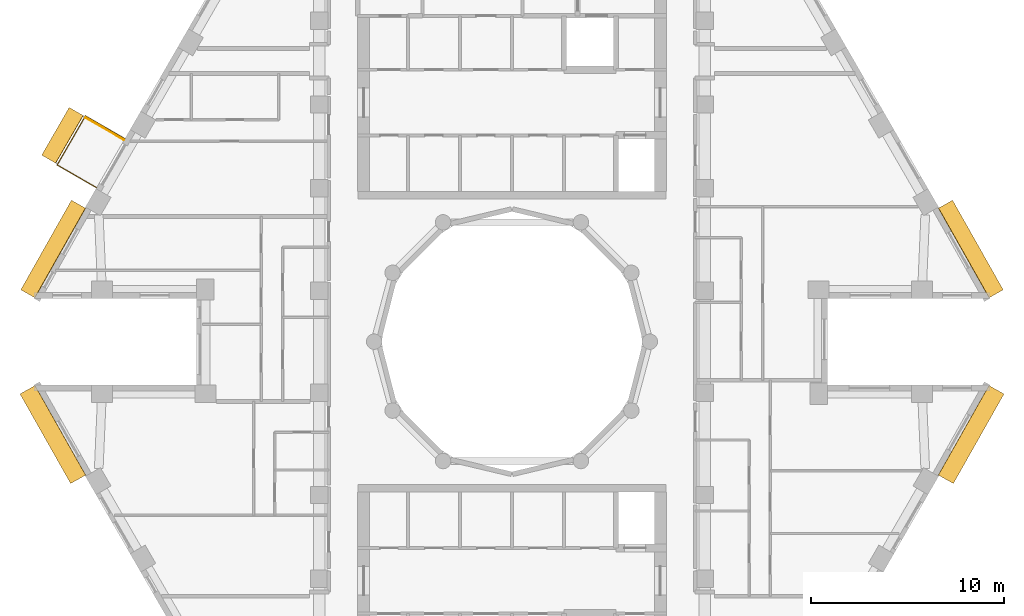
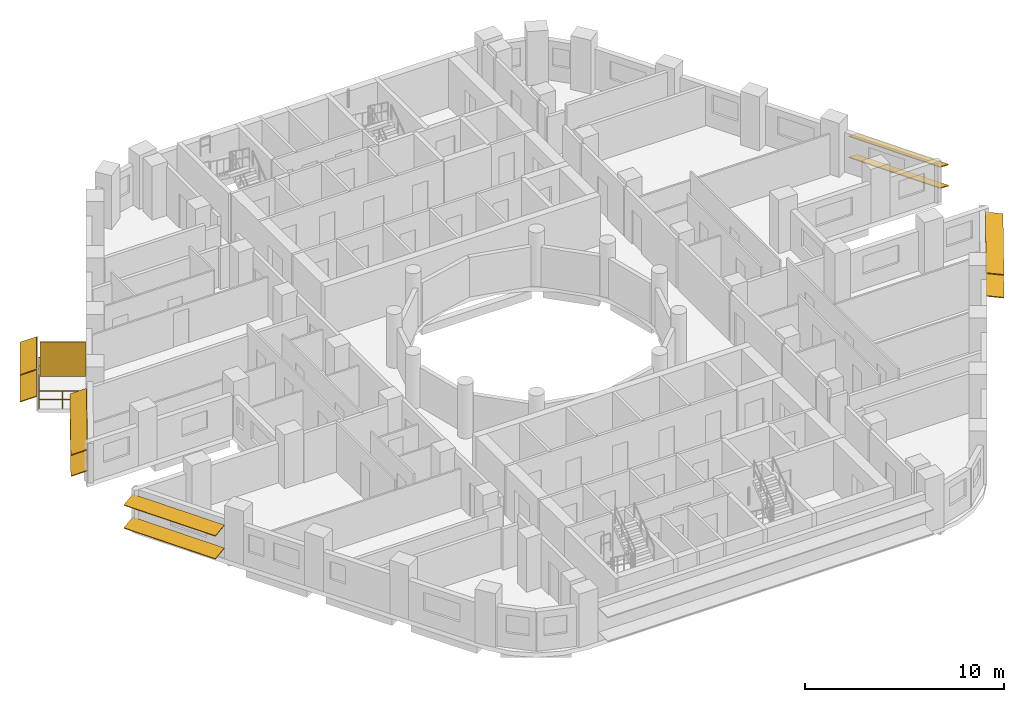
# One storey, part 12 of 13: 11 shading devices, 1 railing.
"""IFC4 building model written with IfcOpenShell, lengths in metres."""

from ifc_helpers import new_model, si_unit, direction, frame, origin, origin_2d, place, context, subcontext, project, spatial, rectangle, circle, extrude, material, layer, layer_set, material_profile, profile_set, type_object, element, save


model = new_model("IFC4")

# Units and contexts
model_context = context("Model", 3, precision=1e-05, world=origin(), true_north=direction((0.0, 1.0)))
body_context = subcontext(model_context, "Body", "Model", "MODEL_VIEW")
ifc_project = project(units=[si_unit("LENGTHUNIT", "METRE"), si_unit("AREAUNIT", "SQUARE_METRE"), si_unit("VOLUMEUNIT", "CUBIC_METRE"), si_unit("PLANEANGLEUNIT", "RADIAN"), si_unit("MASSUNIT", "GRAM", prefix="KILO")], contexts=[model_context])

# Site, building, storey
site_placement = place(None, origin())
site = spatial("IfcSite", under=ifc_project, at=site_placement, CompositionType="ELEMENT")
building_placement = place(site_placement, origin())
building = spatial("IfcBuilding", under=site, at=building_placement, Name="Nakaniwa Court", CompositionType="ELEMENT")
storey_placement = place(building_placement, frame((0.0, 0.0, 242.699951171875)))
storey = spatial("IfcBuildingStorey", under=building, at=storey_placement, Name="L63", CompositionType="ELEMENT", Elevation=242.699951171875)

# Railing
ifc_material_1 = material(Name="Black powder-coated steel flat bar balustrade S275", Category="steel")
railing_type = type_object("IfcRailingType", Name="Black metal balcony guard 1100", PredefinedType="GUARDRAIL", material=ifc_material_1)
railing_placement = place(storey_placement, frame((59.9228515625, 90.525390625, -0.050048828125)))
element("IfcRailing", 1, at=railing_placement, inside=storey, type_object=railing_type, Name="L63 balcony guard 01", PredefinedType="GUARDRAIL", context=body_context, shape_type="SweptSolid", body=[
    extrude(circle(Radius=0.02392578125, at=origin_2d()), frame((0.0, 0.0, 1.076171875), z_axis=(-0.866051224006, 0.499955275397, 0.0), x_axis=(-0.499955275397, -0.866051224006, 0.0)), (0.0, 0.0, 1.0), 2.360107421875),
    extrude(circle(Radius=0.02392578125, at=origin_2d()), frame((0.0, 0.0, 0.550048828125), z_axis=(-0.866051224006, 0.499955275397, 0.0), x_axis=(-0.499955275397, -0.866051224006, 0.0)), (0.0, 0.0, 1.0), 2.360107421875),
    extrude(circle(Radius=0.02392578125, at=origin_2d()), frame((-2.0439453125, 1.179931640625, 1.076171875), z_axis=(-0.499953038101, -0.866052515552, 0.0), x_axis=(0.866052515552, -0.499953038101, 0.0)), (0.0, 0.0, 1.0), 2.932861328125),
    extrude(circle(Radius=0.02392578125, at=origin_2d()), frame((-2.0439453125, 1.179931640625, 0.550048828125), z_axis=(-0.499953038101, -0.866052515552, 0.0), x_axis=(0.866052515552, -0.499953038101, 0.0)), (0.0, 0.0, 1.0), 2.932861328125),
    extrude(circle(Radius=0.02392578125, at=origin_2d()), frame((-3.51025390625, -1.360107421875, 1.076171875), z_axis=(0.866025363618, -0.50000006957, 0.0), x_axis=(0.50000006957, 0.866025363618, 0.0)), (0.0, 0.0, 1.0), 2.35986328125),
    extrude(circle(Radius=0.02392578125, at=origin_2d()), frame((-3.51025390625, -1.360107421875, 0.550048828125), z_axis=(0.866025363618, -0.50000006957, 0.0), x_axis=(0.50000006957, 0.866025363618, 0.0)), (0.0, 0.0, 1.0), 2.35986328125),
    extrude(circle(Radius=0.02099609375, at=origin_2d()), origin(), (0.0, 0.0, 1.0), 1.052001953125),
    extrude(circle(Radius=0.02099609375, at=origin_2d()), frame((-1.02197265625, 0.58984375, 0.0)), (0.0, 0.0, 1.0), 1.052001953125),
    extrude(circle(Radius=0.02099609375, at=origin_2d()), frame((-2.0439453125, 1.179931640625, 0.0)), (0.0, 0.0, 1.0), 1.052001953125),
    extrude(circle(Radius=0.02099609375, at=origin_2d()), frame((-2.53271484375, 0.333251953125, 0.0)), (0.0, 0.0, 1.0), 1.052001953125),
    extrude(circle(Radius=0.02099609375, at=origin_2d()), frame((-3.021484375, -0.513427734375, 0.0)), (0.0, 0.0, 1.0), 1.052001953125),
    extrude(circle(Radius=0.02099609375, at=origin_2d()), frame((-3.51025390625, -1.360107421875, 0.0)), (0.0, 0.0, 1.0), 1.052001953125),
    extrude(circle(Radius=0.02099609375, at=origin_2d()), frame((-2.48828125, -1.9501953125, 0.0)), (0.0, 0.0, 1.0), 1.052001953125),
    extrude(circle(Radius=0.02099609375, at=origin_2d()), frame((-1.466552734375, -2.5400390625, 0.0)), (0.0, 0.0, 1.0), 1.052001953125),
])

# Shading devices
ifc_material_2 = material(Name="Black powder-coated aluminium slat screen", Category="aluminium")
ifc_layer = layer(ifc_material_2, 0.0400390625)
ifc_layer_set = layer_set([ifc_layer], Name="Black powder-coated aluminium slat screen")
shading_device_type_1 = type_object("IfcShadingDeviceType", Name="Koshi screen black metal", PredefinedType="USERDEFINED", material=ifc_layer_set)
shading_device_placement = place(storey_placement, frame((58.882568359375, 91.033447265625, -0.050048828125), z_axis=(0.0, 0.0, 1.0), x_axis=(-0.499986396443, -0.866033257659, 0.0)))
element("IfcShadingDevice", 2, at=shading_device_placement, inside=storey, type_object=shading_device_type_1, Name="L63 balcony SCREEN 01 W", ObjectType="KOSHI SCREEN", PredefinedType="USERDEFINED", context=body_context, shape_type="SweptSolid", body=[
    extrude(rectangle(XDim=0.0400390625, YDim=2.31005859375, at=origin_2d()), origin(), (0.0, 0.0, 1.0), 2.10009765625),
])
ifc_material_3 = material(Name="Perforated charcoal ceramic louvre blade")
ifc_material_profile = material_profile(ifc_material_3, rectangle(XDim=0.89990234375, YDim=0.050048828125, at=origin_2d()), Name="Perforated ceramic louvre blade")
ifc_profile_set = profile_set([ifc_material_profile], Name="Perforated charcoal ceramic louvre blade")
shading_device_type_2 = type_object("IfcShadingDeviceType", Name="Perforated ceramic louvre blade", PredefinedType="JALOUSIE", material=ifc_profile_set)
for number, where, z_axis, x_axis, name in (
    (3, (57.404052734375, 91.933349609375, 0.5), (-0.499949632511, -0.866054481515, 0.0), (0.800130009511, -0.461893232763, 0.382683432365), "L63 perforated ceramic louvre blade 01 1"),
    (4, (57.404052734375, 91.933349609375, 2.150146484375), (-0.499949632511, -0.866054481515, 0.0), (0.800130009511, -0.461893232763, 0.382683432365), "L63 perforated ceramic louvre blade 01 2"),
):
    element("IfcShadingDevice", number, at=place(storey_placement, frame(where, z_axis=z_axis, x_axis=x_axis)), inside=storey, type_object=shading_device_type_2, Name=name, PredefinedType="JALOUSIE", context=body_context, shape_type="SweptSolid", body=[
        extrude(rectangle(XDim=0.89990234375, YDim=0.050048828125, at=origin_2d()), origin(), (0.0, 0.0, 1.0), 2.852783203125),
    ])
for number, where, z_axis, x_axis, name in (
    (5, (105.103759765625, 82.480224609375, 0.550048828125), (-0.492088911474, 0.870544946114, 0.0), (-0.804858877011, -0.454958851288, 0.38107037635), "L63 perforated ceramic louvre blade w02 1"),
    (6, (105.103759765625, 82.480224609375, 1.845458984375), (-0.492088911474, 0.870544946114, 0.0), (-0.804858877011, -0.454958851288, 0.38107037635), "L63 perforated ceramic louvre blade w02 2"),
    (7, (57.5224609375, 87.126220703125, 0.550048828125), (-0.492088911474, -0.870544946114, 0.0), (0.804858877011, -0.454958851288, 0.38107037635), "L63 perforated ceramic louvre blade w14 1"),
    (8, (57.5224609375, 87.126220703125, 1.845458984375), (-0.492088911474, -0.870544946114, 0.0), (0.804858877011, -0.454958851288, 0.38107037635), "L63 perforated ceramic louvre blade w14 2"),
):
    element("IfcShadingDevice", number, at=place(storey_placement, frame(where, z_axis=z_axis, x_axis=x_axis)), inside=storey, type_object=shading_device_type_2, Name=name, PredefinedType="JALOUSIE", context=body_context, shape_type="SweptSolid", body=[
        extrude(rectangle(XDim=0.89990234375, YDim=0.050048828125, at=origin_2d()), origin(), (0.0, 0.0, 1.0), 5.3369140625),
    ])
for number, where, z_axis, x_axis, name in (
    (9, (54.87548828125, 77.508056640625, 0.550048828125), (0.492108509021, -0.870533868008, 0.0), (0.862886698285, 0.487785601632, 0.132256390257), "L63 perforated ceramic louvre blade w20 1"),
    (10, (54.87548828125, 77.508056640625, 1.955810546875), (0.492108509021, -0.870533868008, 0.0), (0.862886698285, 0.487785601632, 0.132256390257), "L63 perforated ceramic louvre blade w20 2"),
    (11, (102.498291015625, 72.8623046875, 0.550048828125), (0.492108509021, 0.870533868008, 0.0), (-0.862886698285, 0.487785601632, 0.132256390257), "L63 perforated ceramic louvre blade w32 1"),
    (12, (102.498291015625, 72.8623046875, 1.955810546875), (0.492108509021, 0.870533868008, 0.0), (-0.862886698285, 0.487785601632, 0.132256390257), "L63 perforated ceramic louvre blade w32 2"),
):
    element("IfcShadingDevice", number, at=place(storey_placement, frame(where, z_axis=z_axis, x_axis=x_axis)), inside=storey, type_object=shading_device_type_2, Name=name, PredefinedType="JALOUSIE", context=body_context, shape_type="SweptSolid", body=[
        extrude(rectangle(XDim=0.89990234375, YDim=0.050048828125, at=origin_2d()), origin(), (0.0, 0.0, 1.0), 5.336669921875),
    ])

save(model, "model.ifc")
